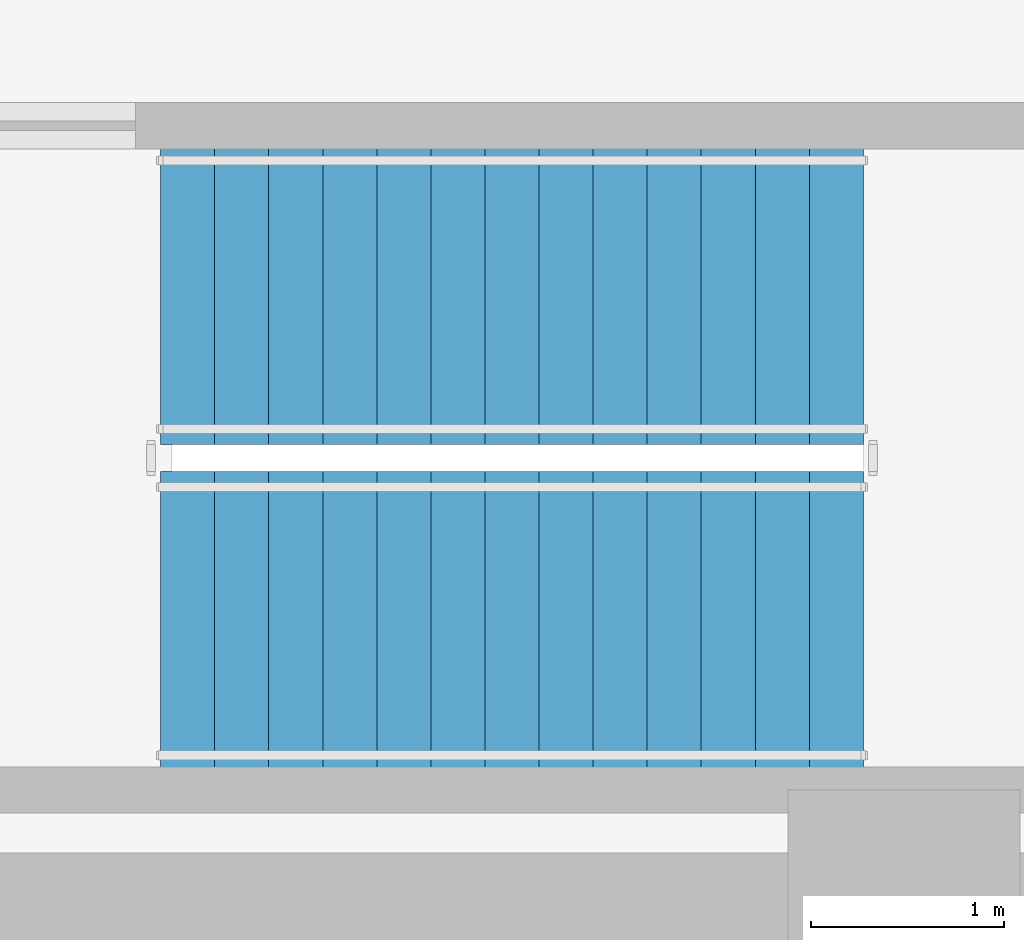
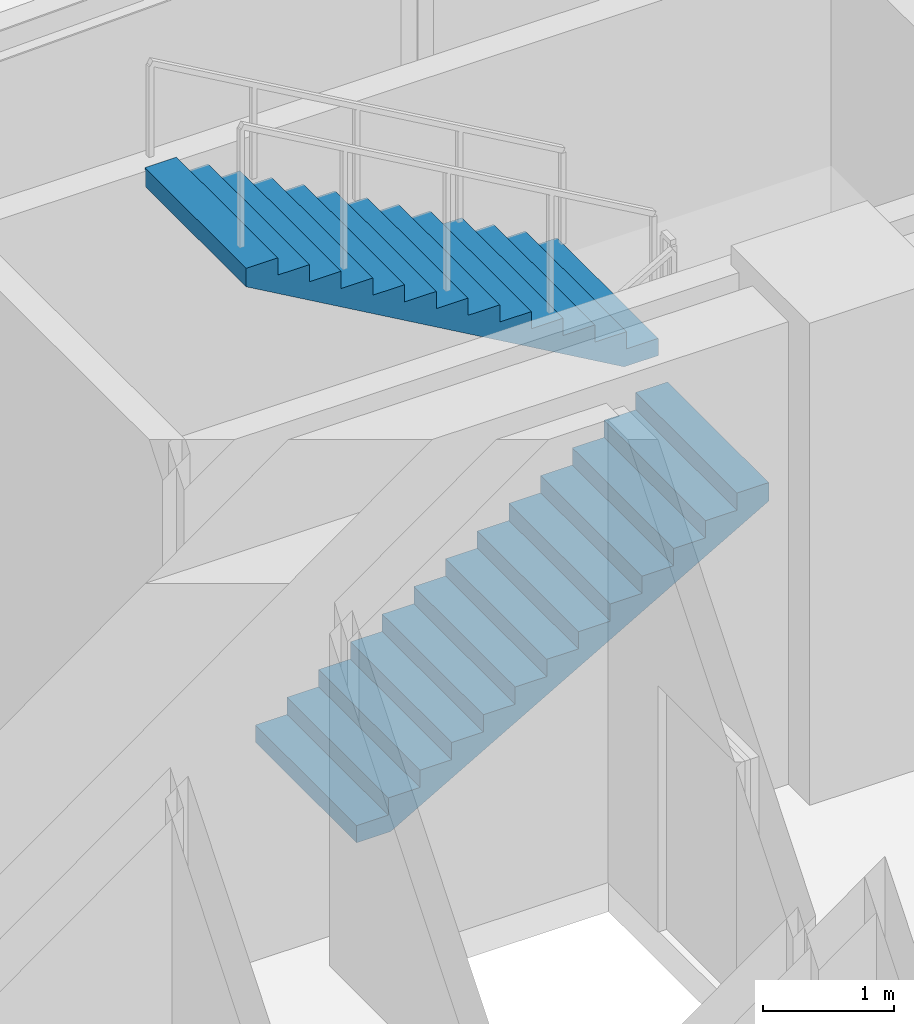
# One storey, part 32 of 35: 2 stair flights, 1 element without a shape of its own.
"""IFC4 building model written with IfcOpenShell, lengths in metres."""

from ifc_helpers import new_model, si_unit, direction, frame, origin, place, context, subcontext, project, spatial, polyline, outline, extrude, material, type_object, element, aggregate, save


model = new_model("IFC4")

# Units and contexts
model_context = context("Model", 3, precision=1e-05, world=origin(), true_north=direction((0.0, 1.0)))
body_context = subcontext(model_context, "Body", "Model", "MODEL_VIEW")
ifc_project = project(units=[si_unit("LENGTHUNIT", "METRE"), si_unit("AREAUNIT", "SQUARE_METRE"), si_unit("VOLUMEUNIT", "CUBIC_METRE"), si_unit("PLANEANGLEUNIT", "RADIAN"), si_unit("MASSUNIT", "GRAM", prefix="KILO")], contexts=[model_context])

# Site, building, storey
site_placement = place(None, origin())
site = spatial("IfcSite", under=ifc_project, at=site_placement, CompositionType="ELEMENT")
building_placement = place(site_placement, origin())
building = spatial("IfcBuilding", under=site, at=building_placement, Name="Liaohun Quay Tower", CompositionType="ELEMENT")
storey_placement = place(building_placement, frame((0.0, 0.0, 282.0)))
storey = spatial("IfcBuildingStorey", under=building, at=storey_placement, Name="L73", CompositionType="ELEMENT", Elevation=282.0)

# Stair, stair flights
ifc_material = material(Name="Concrete C45", Category="concrete")
stair_type = type_object("IfcStairType", Name="STR-CORE-TALL", PredefinedType="HALF_TURN_STAIR", material=ifc_material)
stair_placement = place(storey_placement, origin())
stair = element("IfcStair", 1, at=stair_placement, inside=storey, type_object=stair_type, Name="L73 Smokeproof Core Exit Stair ST-3", PredefinedType="HALF_TURN_STAIR")
stair_flight_type = type_object("IfcStairFlightType", Name="FLT-CORE-155", PredefinedType="STRAIGHT", material=ifc_material)
stair_flight_1_placement = place(storey_placement, frame((56.14990234375, 62.97509765625, 0.0), z_axis=(0.0, 0.0, 1.0), x_axis=(1.0, 0.0, 0.0)))
stair_flight_1 = element("IfcStairFlight", 2, at=stair_flight_1_placement, type_object=stair_flight_type, Name="ST-3 flight 1", NumberOfRisers=14, NumberOfTreads=13, PredefinedType="STRAIGHT", RiserHeight=0.160714286, TreadLength=0.28, context=body_context, shape_type="SweptSolid", body=[
    extrude(outline(polyline([(0.0, 0.0), (0.0, 0.16064453125), (0.280029296875, 0.16064453125), (0.280029296875, 0.321533203125), (0.56005859375, 0.321533203125), (0.56005859375, 0.482177734375), (0.840087890625, 0.482177734375), (0.840087890625, 0.642822265625), (1.1201171875, 0.642822265625), (1.1201171875, 0.803466796875), (1.39990234375, 0.803466796875), (1.39990234375, 0.96435546875), (1.679931640625, 0.96435546875), (1.679931640625, 1.125), (1.9599609375, 1.125), (1.9599609375, 1.28564453125), (2.239990234375, 1.28564453125), (2.239990234375, 1.446533203125), (2.52001953125, 1.446533203125), (2.52001953125, 1.607177734375), (2.800048828125, 1.607177734375), (2.800048828125, 1.767822265625), (3.080078125, 1.767822265625), (3.080078125, 1.928466796875), (3.360107421875, 1.928466796875), (3.360107421875, 2.08935546875), (3.639892578125, 2.08935546875), (3.639892578125, 2.25), (3.639892578125, 1.91650390625), (0.301025390625, 0.0), (0.0, 0.0)])), frame((0.0, 0.77490234375, 0.0), z_axis=(0.0, -1.0, 0.0), x_axis=(1.0, 0.0, 0.0)), (0.0, 0.0, 1.0), 1.550048828125),
])
stair_flight_2_placement = place(storey_placement, frame((59.7900390625, 64.6650390625, 2.25), z_axis=(0.0, 0.0, 1.0), x_axis=(-1.0, 0.0, 0.0)))
stair_flight_2 = element("IfcStairFlight", 3, at=stair_flight_2_placement, type_object=stair_flight_type, Name="ST-3 flight 2", NumberOfRisers=14, NumberOfTreads=13, PredefinedType="STRAIGHT", RiserHeight=0.160714286, TreadLength=0.28, context=body_context, shape_type="SweptSolid", body=[
    extrude(outline(polyline([(0.0, 0.0), (0.0, 0.16064453125), (0.280029296875, 0.16064453125), (0.280029296875, 0.321533203125), (0.56005859375, 0.321533203125), (0.56005859375, 0.482177734375), (0.840087890625, 0.482177734375), (0.840087890625, 0.642822265625), (1.1201171875, 0.642822265625), (1.1201171875, 0.803466796875), (1.39990234375, 0.803466796875), (1.39990234375, 0.96435546875), (1.679931640625, 0.96435546875), (1.679931640625, 1.125), (1.9599609375, 1.125), (1.9599609375, 1.28564453125), (2.239990234375, 1.28564453125), (2.239990234375, 1.446533203125), (2.52001953125, 1.446533203125), (2.52001953125, 1.607177734375), (2.800048828125, 1.607177734375), (2.800048828125, 1.767822265625), (3.080078125, 1.767822265625), (3.080078125, 1.928466796875), (3.360107421875, 1.928466796875), (3.360107421875, 2.08935546875), (3.639892578125, 2.08935546875), (3.639892578125, 2.25), (3.639892578125, 1.91650390625), (0.301025390625, 0.0), (0.0, 0.0)])), frame((0.0, 0.77490234375, 0.0), z_axis=(0.0, -1.0, 0.0), x_axis=(1.0, 0.0, 0.0)), (0.0, 0.0, 1.0), 1.550048828125),
])
aggregate(stair, [stair_flight_1, stair_flight_2])

save(model, "model.ifc")
